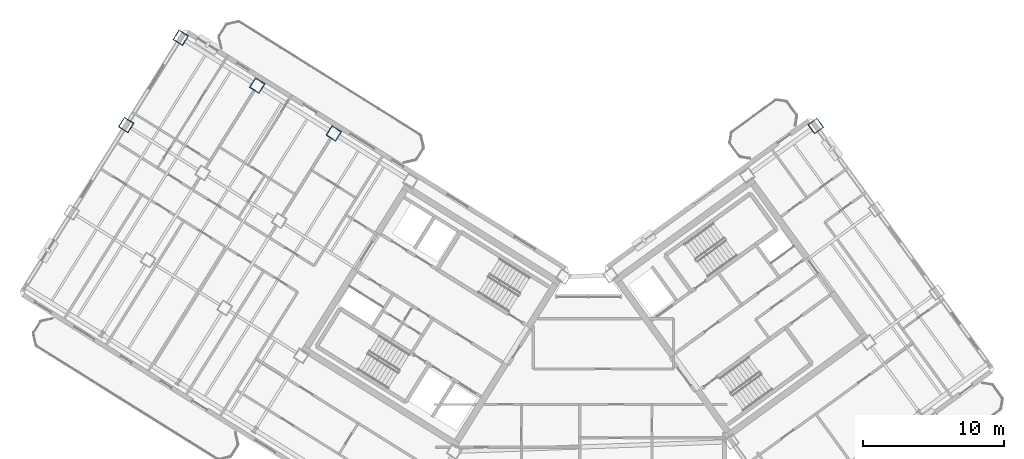
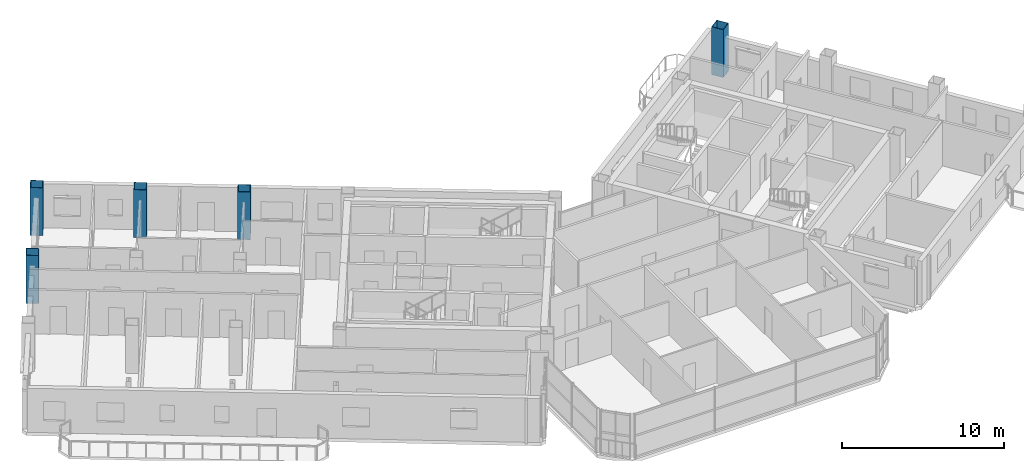
# One storey, part 3 of 27: 5 columns.
"""IFC4 building model written with IfcOpenShell, lengths in metres."""

from ifc_helpers import new_model, si_unit, direction, frame, origin, origin_2d, place, context, subcontext, project, spatial, hollow_rectangle, extrude, source, transform, mapped, material, material_profile, profile_set, type_object, element, save


model = new_model("IFC4")

# Units and contexts
model_context = context("Model", 3, precision=1e-05, world=origin(), true_north=direction((0.0, 1.0)))
body_context = subcontext(model_context, "Body", "Model", "MODEL_VIEW")
ifc_project = project(units=[si_unit("LENGTHUNIT", "METRE"), si_unit("AREAUNIT", "SQUARE_METRE"), si_unit("VOLUMEUNIT", "CUBIC_METRE"), si_unit("PLANEANGLEUNIT", "RADIAN"), si_unit("MASSUNIT", "GRAM", prefix="KILO")], contexts=[model_context])

# Site, building, storey
site_placement = place(None, origin())
site = spatial("IfcSite", under=ifc_project, at=site_placement, CompositionType="ELEMENT")
building_placement = place(site_placement, origin())
building = spatial("IfcBuilding", under=site, at=building_placement, Name="Tlacorven Tower", CompositionType="ELEMENT")
storey_placement = place(building_placement, frame((0.0, 0.0, 242.10009765625)))
storey = spatial("IfcBuildingStorey", under=building, at=storey_placement, Name="L61", CompositionType="ELEMENT", Elevation=242.10009765625)

# Columns
ifc_material = material(Name="Steel S460M", Category="steel")
ifc_material_profile = material_profile(ifc_material, hollow_rectangle(XDim=0.800048828125, YDim=0.800048828125, WallThickness=0.031982421875, at=origin_2d()), Name="BOX 800X800X32")
ifc_profile_set = profile_set([ifc_material_profile], Name="Steel S460M")
column_type = type_object("IfcColumnType", Name="COL-TWR-S3", PredefinedType="COLUMN", material=ifc_profile_set)
shared_shape = source(origin(), body_context, "Body", "SweptSolid", [
    extrude(hollow_rectangle(XDim=0.800048828125, YDim=0.800048828125, WallThickness=0.031982421875, at=origin_2d()), origin(), (0.0, 0.0, 1.0), 3.599853515625),
])
for number, where, z_axis, x_axis, name in (
    (1, (24.50048828125, 34.642822265625, 0.0), (0.0, 0.0, 1.0), (-0.848048096156, 0.529919264233, 0.0), "L61 column COL-L61-W4-1"),
    (2, (19.072998046875, 38.034423828125, 0.0), (0.0, 0.0, 1.0), (-0.848048096156, 0.529919264233, 0.0), "L61 column COL-L61-W5-1"),
    (3, (13.6455078125, 41.42578125, 0.0), (0.0, 0.0, 1.0), (-0.848048096156, 0.529919264233, 0.0), "L61 column COL-L61-W6-1"),
    (4, (9.777099609375, 35.235107421875, 0.0), (0.0, 0.0, 1.0), (-0.848048096156, 0.529919264233, 0.0), "L61 column COL-L61-W6-2"),
    (5, (58.68603515625, 35.165283203125, 0.0), (0.0, 0.0, 1.0), (0.809016994375, 0.587785252292, 0.0), "L61 column COL-L61-E4-4"),
):
    element("IfcColumn", number, at=place(storey_placement, frame(where, z_axis=z_axis, x_axis=x_axis)), inside=storey, type_object=column_type, Name=name, PredefinedType="COLUMN", context=body_context, shape_type="MappedRepresentation", body=[
        mapped(shared_shape, transform((0.0, 0.0, 0.0), scale=1.0)),
    ])

save(model, "model.ifc")
